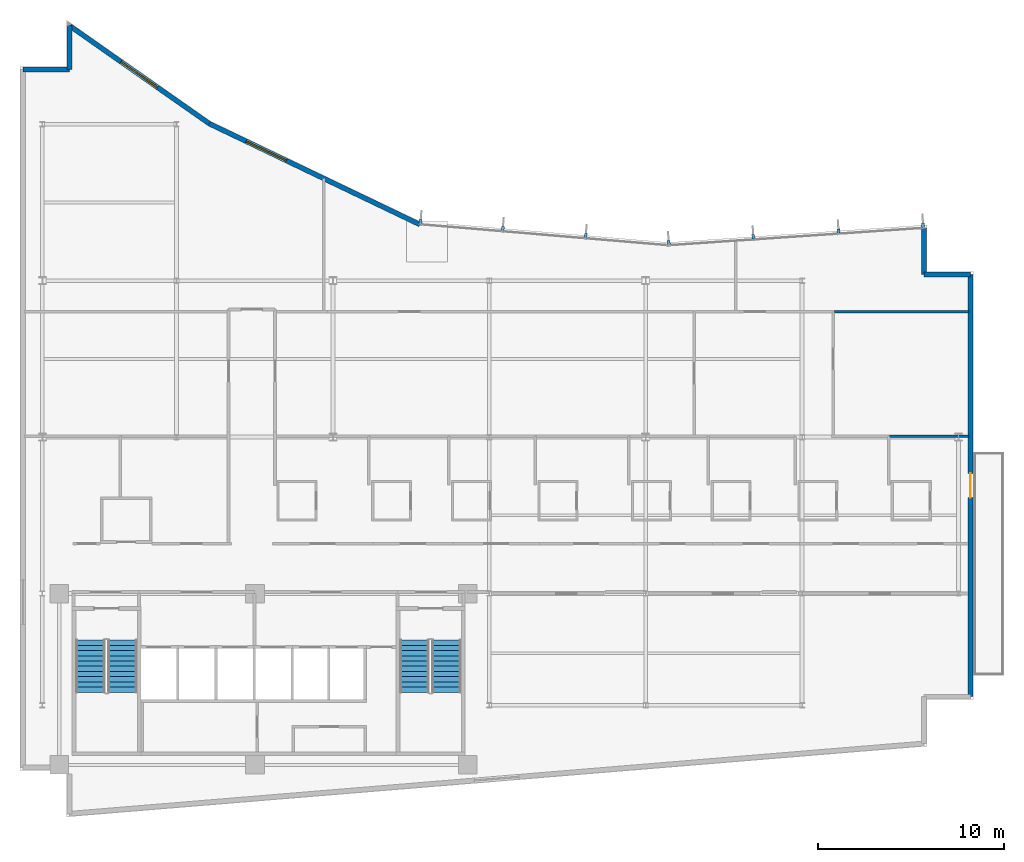
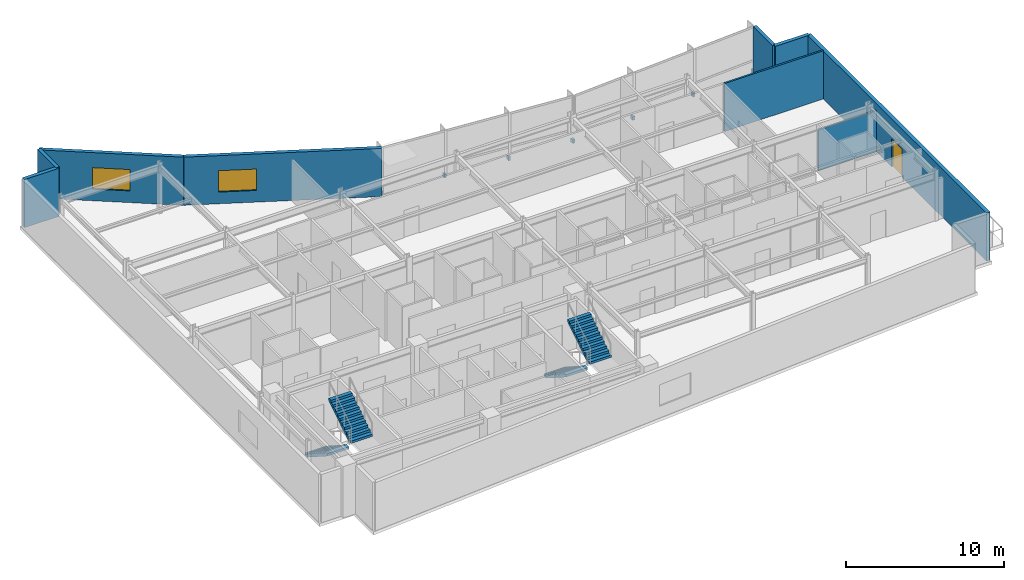
# One storey, part 12 of 15: 9 walls, 7 discrete accessories, 4 stair flights, 2 windows, 1 door, 3 openings, 2 elements without a shape of their own.
"""IFC4 building model written with IfcOpenShell, lengths in metres."""

from ifc_helpers import new_model, si_unit, direction, frame, frame_2d, origin, origin_2d, place, context, subcontext, project, spatial, polyline, rectangle, outline, extrude, material, layer, layer_set, type_object, element, fill, aggregate, save


model = new_model("IFC4")

# Units and contexts
model_context = context("Model", 3, precision=1e-05, world=origin(), true_north=direction((0.0, 1.0)))
body_context = subcontext(model_context, "Body", "Model", "MODEL_VIEW")
ifc_project = project(units=[si_unit("LENGTHUNIT", "METRE"), si_unit("AREAUNIT", "SQUARE_METRE"), si_unit("VOLUMEUNIT", "CUBIC_METRE"), si_unit("PLANEANGLEUNIT", "RADIAN"), si_unit("MASSUNIT", "GRAM", prefix="KILO")], contexts=[model_context])

# Site, building, storey
site_placement = place(None, origin())
site = spatial("IfcSite", under=ifc_project, at=site_placement, CompositionType="ELEMENT")
building_placement = place(site_placement, origin())
building = spatial("IfcBuilding", under=site, at=building_placement, Name="Varnakote Quay Hospital", CompositionType="ELEMENT")
storey_placement = place(building_placement, frame((0.0, 0.0, 200.0)))
storey = spatial("IfcBuildingStorey", under=building, at=storey_placement, Name="L49", CompositionType="ELEMENT", Elevation=200.0)

# Wall, opening, door
ifc_material_1 = material(Name="Precast concrete N50 (f'c 50 MPa)", Category="concrete")
ifc_layer_1 = layer(ifc_material_1, 0.260009765625)
ifc_layer_set_1 = layer_set([ifc_layer_1], Name="Precast concrete N50 (f'c 50 MPa)")
wall_type_1 = type_object("IfcWallType", Name="WL-EXT-BRICK-260", PredefinedType="STANDARD", material=ifc_layer_set_1)
wall_1_placement = place(storey_placement, frame((51.0400390625, 6.4599609375, 0.0), z_axis=(0.0, 0.0, 1.0), x_axis=(0.0, 1.0, 0.0)))
wall_1 = element("IfcWall", 1, at=wall_1_placement, inside=storey, type_object=wall_type_1, Name="L49 Healing Terrace Portal Brick Wall", PredefinedType="STANDARD", context=body_context, shape_type="SweptSolid", body=[
    extrude(rectangle(XDim=22.679931640625, YDim=0.260009765625, at=frame_2d((11.33984375, 0.0))), origin(), (0.0, 0.0, 1.0), 3.7099609375),
])
opening_1_placement = place(wall_1_placement, frame((10.68994140625, 0.0, 0.0)))
opening_1 = element("IfcOpeningElement", 2, at=opening_1_placement, cuts=wall_1, Name="Opening DT-L49", PredefinedType="OPENING", context=body_context, shape_type="SweptSolid", body=[
    extrude(rectangle(XDim=1.300048828125, YDim=2.14990234375, at=frame_2d((0.64990234375, 1.074951171875))), frame((0.0, 0.139892578125, 0.0), z_axis=(0.0, -1.0, 0.0), x_axis=(1.0, 0.0, 0.0)), (0.0, 0.0, 1.0), 0.280029296875),
])
ifc_material_2 = material(Name="Anodised aluminium glazed terrace door", Category="aluminium")
door_type = type_object("IfcDoorType", Name="DR-EXT-TERR-1300x2150", OperationType="NOTDEFINED", PredefinedType="DOOR", material=ifc_material_2)
door_placement = place(opening_1_placement, origin())
door = element("IfcDoor", 3, at=door_placement, inside=storey, type_object=door_type, Name="L49 Waterfront Healing Terrace Door", OperationType="SINGLE_SWING_RIGHT", OverallHeight=2.14990234375, OverallWidth=1.300048828125, PredefinedType="DOOR", context=body_context, shape_type="SweptSolid", body=[
    extrude(rectangle(XDim=1.300048828125, YDim=2.14990234375, at=frame_2d((0.64990234375, 1.074951171875))), frame((0.0, 0.02490234375, 0.0), z_axis=(0.0, -1.0, 0.0), x_axis=(1.0, 0.0, 0.0)), (0.0, 0.0, 1.0), 0.050048828125),
])
fill(opening_1, door)

# Walls
wall_2_placement = place(storey_placement, frame((51.0400390625, 29.139892578125, 0.0), z_axis=(0.0, 0.0, 1.0), x_axis=(-1.0, 0.0, 0.0)))
element("IfcWall", 4, at=wall_2_placement, inside=storey, type_object=wall_type_1, Name="L49 Brick-Faced Precast Exterior Wall", PredefinedType="STANDARD", context=body_context, shape_type="SweptSolid", body=[
    extrude(rectangle(XDim=2.5, YDim=0.260009765625, at=frame_2d((1.25, 0.0))), origin(), (0.0, 0.0, 1.0), 3.7099609375),
])
wall_3_placement = place(storey_placement, frame((48.5400390625, 29.139892578125, 0.0), z_axis=(0.0, 0.0, 1.0), x_axis=(0.0, 1.0, 0.0)))
element("IfcWall", 5, at=wall_3_placement, inside=storey, type_object=wall_type_1, Name="L49 Brick-Faced Precast Exterior Wall", PredefinedType="STANDARD", context=body_context, shape_type="SweptSolid", body=[
    extrude(rectangle(XDim=2.489013671875, YDim=0.260009765625, at=frame_2d((1.24462890625, 0.0))), origin(), (0.0, 0.0, 1.0), 3.7099609375),
])

# Wall, opening, window
wall_4_placement = place(storey_placement, frame((21.461181640625, 31.822998046875, 0.0), z_axis=(0.0, 0.0, 1.0), x_axis=(-0.901858094827, 0.432032379336, 0.0)))
wall_4 = element("IfcWall", 6, at=wall_4_placement, inside=storey, type_object=wall_type_1, Name="L49 Brick-Faced Precast Exterior Wall", PredefinedType="STANDARD", context=body_context, shape_type="SweptSolid", body=[
    extrude(rectangle(XDim=12.5322265625, YDim=0.260009765625, at=frame_2d((6.26611328125, 0.0))), origin(), (0.0, 0.0, 1.0), 3.7099609375),
])
opening_2_placement = place(wall_4_placement, frame((7.93212890625, 0.0, 0.89990234375)))
opening_2 = element("IfcOpeningElement", 7, at=opening_2_placement, cuts=wall_4, Name="Opening WN-0203", PredefinedType="OPENING", context=body_context, shape_type="SweptSolid", body=[
    extrude(rectangle(XDim=2.39990234375, YDim=1.64990234375, at=frame_2d((1.199951171875, 0.824951171875))), frame((0.0, 0.139892578125, 0.0), z_axis=(0.0, -1.0, 0.0), x_axis=(1.0, 0.0, 0.0)), (0.0, 0.0, 1.0), 0.280029296875),
])
ifc_material_3 = material(Name="Double-glazed low-E solar glass", Category="glass")
window_type = type_object("IfcWindowType", Name="WIN-CLIN-2400x1650", PartitioningType="SINGLE_PANEL", PredefinedType="WINDOW", material=ifc_material_3)
window_1_placement = place(opening_2_placement, origin())
window_1 = element("IfcWindow", 8, at=window_1_placement, inside=storey, type_object=window_type, Name="L49 Solar-Control Clinical Window", OverallHeight=1.64990234375, OverallWidth=2.39990234375, PartitioningType="SINGLE_PANEL", PredefinedType="WINDOW", context=body_context, shape_type="SweptSolid", body=[
    extrude(rectangle(XDim=2.39990234375, YDim=1.64990234375, at=frame_2d((1.199951171875, 0.824951171875))), frame((0.0, 0.030029296875, 0.0), z_axis=(0.0, -1.0, 0.0), x_axis=(1.0, 0.0, 0.0)), (0.0, 0.0, 1.0), 0.06005859375),
])
fill(opening_2, window_1)

wall_5_placement = place(storey_placement, frame((10.158935546875, 37.2373046875, 0.0), z_axis=(0.0, 0.0, 1.0), x_axis=(-0.818933702389, 0.57388813465, 0.0)))
wall_5 = element("IfcWall", 9, at=wall_5_placement, inside=storey, type_object=wall_type_1, Name="L49 Brick-Faced Precast Exterior Wall", PredefinedType="STANDARD", context=body_context, shape_type="SweptSolid", body=[
    extrude(rectangle(XDim=9.156982421875, YDim=0.260009765625, at=frame_2d((4.57861328125, 0.0))), origin(), (0.0, 0.0, 1.0), 3.7099609375),
])
opening_3_placement = place(wall_5_placement, frame((3.37841796875, 0.0, 0.89990234375)))
opening_3 = element("IfcOpeningElement", 10, at=opening_3_placement, cuts=wall_5, Name="Opening WN-0204", PredefinedType="OPENING", context=body_context, shape_type="SweptSolid", body=[
    extrude(rectangle(XDim=2.39990234375, YDim=1.64990234375, at=frame_2d((1.199951171875, 0.824951171875))), frame((0.0, 0.139892578125, 0.0), z_axis=(0.0, -1.0, 0.0), x_axis=(1.0, 0.0, 0.0)), (0.0, 0.0, 1.0), 0.280029296875),
])
window_2_placement = place(opening_3_placement, origin())
window_2 = element("IfcWindow", 11, at=window_2_placement, inside=storey, type_object=window_type, Name="L49 Solar-Control Clinical Window", OverallHeight=1.64990234375, OverallWidth=2.39990234375, PartitioningType="SINGLE_PANEL", PredefinedType="WINDOW", context=body_context, shape_type="SweptSolid", body=[
    extrude(rectangle(XDim=2.39990234375, YDim=1.64990234375, at=frame_2d((1.199951171875, 0.824951171875))), frame((0.0, 0.030029296875, 0.0), z_axis=(0.0, -1.0, 0.0), x_axis=(1.0, 0.0, 0.0)), (0.0, 0.0, 1.0), 0.06005859375),
])
fill(opening_3, window_2)

# Walls
wall_6_placement = place(storey_placement, frame((2.659912109375, 42.492431640625, 0.0), z_axis=(0.0, 0.0, 1.0), x_axis=(0.0, -1.0, 0.0)))
element("IfcWall", 12, at=wall_6_placement, inside=storey, type_object=wall_type_1, Name="L49 Brick-Faced Precast Exterior Wall", PredefinedType="STANDARD", context=body_context, shape_type="SweptSolid", body=[
    extrude(rectangle(XDim=2.3525390625, YDim=0.260009765625, at=frame_2d((1.17626953125, 0.0))), origin(), (0.0, 0.0, 1.0), 3.7099609375),
])
wall_7_placement = place(storey_placement, frame((2.659912109375, 40.139892578125, 0.0), z_axis=(0.0, 0.0, 1.0), x_axis=(-1.0, 0.0, 0.0)))
element("IfcWall", 13, at=wall_7_placement, inside=storey, type_object=wall_type_1, Name="L49 Brick-Faced Precast Exterior Wall", PredefinedType="STANDARD", context=body_context, shape_type="SweptSolid", body=[
    extrude(rectangle(XDim=2.5, YDim=0.260009765625, at=frame_2d((1.25, 0.0))), origin(), (0.0, 0.0, 1.0), 3.7099609375),
])
ifc_material_4 = material(Name="Smoke-proof clinical partition", Category="gypsum")
ifc_layer_2 = layer(ifc_material_4, 0.135009765625)
ifc_layer_set_2 = layer_set([ifc_layer_2], Name="Smoke-proof clinical partition")
wall_type_2 = type_object("IfcWallType", Name="WL-SMOKE-135", PredefinedType="PARTITIONING", material=ifc_layer_set_2)
wall_8_placement = place(storey_placement, frame((50.9599609375, 20.43994140625, 0.0), z_axis=(0.0, 0.0, 1.0), x_axis=(-1.0, 0.0, 0.0)))
element("IfcWall", 14, at=wall_8_placement, inside=storey, type_object=wall_type_2, Name="L49 Clinical Interior Partition", PredefinedType="PARTITIONING", context=body_context, shape_type="SweptSolid", body=[
    extrude(rectangle(XDim=4.262451171875, YDim=0.135009765625, at=frame_2d((2.13134765625, 0.0))), origin(), (0.0, 0.0, 1.0), 3.152099609375),
])
wall_9_placement = place(storey_placement, frame((50.9599609375, 27.139892578125, 0.0), z_axis=(0.0, 0.0, 1.0), x_axis=(-1.0, 0.0, 0.0)))
element("IfcWall", 15, at=wall_9_placement, inside=storey, type_object=wall_type_2, Name="L49 Clinical Interior Partition", PredefinedType="PARTITIONING", context=body_context, shape_type="SweptSolid", body=[
    extrude(rectangle(XDim=7.242431640625, YDim=0.135009765625, at=frame_2d((3.62109375, 0.0))), origin(), (0.0, 0.0, 1.0), 3.7099609375),
])

# Stair, stair flights
ifc_material_5 = material(Name="Concrete N40 (f'c 40 MPa)", Category="concrete")
stair_type = type_object("IfcStairType", Name="STR-CORE-1580", PredefinedType="HALF_TURN_STAIR", material=ifc_material_5)
stair_1_placement = place(storey_placement, origin())
stair_1 = element("IfcStair", 16, at=stair_1_placement, inside=storey, type_object=stair_type, Name="L49 Fire-Isolated Exit Stair ST-01", PredefinedType="HALF_TURN_STAIR")
ifc_material_6 = material(Name="Concrete N40 (f'c 40 MPa)", Category="concrete")
ifc_layer_3 = layer(ifc_material_6, 0.159912109375)
ifc_layer_set_3 = layer_set([ifc_layer_3], Name="Concrete N40 (f'c 40 MPa)")
stair_flight_type = type_object("IfcStairFlightType", Name="FLT-CORE-1580", PredefinedType="STRAIGHT", material=ifc_layer_set_3)
stair_flight_1_placement = place(storey_placement, frame((3.7900390625, 9.5, 0.0), z_axis=(0.0, 0.0, 1.0), x_axis=(0.0, -1.0, 0.0)))
stair_flight_1 = element("IfcStairFlight", 17, at=stair_flight_1_placement, type_object=stair_flight_type, Name="ST-01 flight 1", NumberOfRisers=11, NumberOfTreads=10, PredefinedType="STRAIGHT", RiserHeight=0.179545455, TreadLength=0.28, context=body_context, shape_type="SweptSolid", body=[
    extrude(outline(polyline([(0.0, 0.0), (0.0, 0.179443359375), (0.280029296875, 0.179443359375), (0.280029296875, 0.359130859375), (0.56005859375, 0.359130859375), (0.56005859375, 0.53857421875), (0.840087890625, 0.53857421875), (0.840087890625, 0.71826171875), (1.1201171875, 0.71826171875), (1.1201171875, 0.897705078125), (1.39990234375, 0.897705078125), (1.39990234375, 1.077392578125), (1.679931640625, 1.077392578125), (1.679931640625, 1.2568359375), (1.9599609375, 1.2568359375), (1.9599609375, 1.436279296875), (2.239990234375, 1.436279296875), (2.239990234375, 1.615966796875), (2.52001953125, 1.615966796875), (2.52001953125, 1.79541015625), (2.800048828125, 1.79541015625), (2.800048828125, 1.97509765625), (2.800048828125, 1.60546875), (0.296142578125, 0.0), (0.0, 0.0)])), frame((0.0, 0.7900390625, 0.0), z_axis=(0.0, -1.0, 0.0), x_axis=(1.0, 0.0, 0.0)), (0.0, 0.0, 1.0), 1.580078125),
])
stair_flight_2_placement = place(storey_placement, frame((5.510009765625, 6.699951171875, 1.97509765625), z_axis=(0.0, 0.0, 1.0), x_axis=(0.0, 1.0, 0.0)))
stair_flight_2 = element("IfcStairFlight", 18, at=stair_flight_2_placement, type_object=stair_flight_type, Name="ST-01 flight 2", NumberOfRisers=11, NumberOfTreads=10, PredefinedType="STRAIGHT", RiserHeight=0.179545455, TreadLength=0.28, context=body_context, shape_type="SweptSolid", body=[
    extrude(outline(polyline([(0.0, 0.0), (0.0, 0.179443359375), (0.280029296875, 0.179443359375), (0.280029296875, 0.359130859375), (0.56005859375, 0.359130859375), (0.56005859375, 0.53857421875), (0.840087890625, 0.53857421875), (0.840087890625, 0.71826171875), (1.1201171875, 0.71826171875), (1.1201171875, 0.897705078125), (1.39990234375, 0.897705078125), (1.39990234375, 1.077392578125), (1.679931640625, 1.077392578125), (1.679931640625, 1.2568359375), (1.9599609375, 1.2568359375), (1.9599609375, 1.436279296875), (2.239990234375, 1.436279296875), (2.239990234375, 1.615966796875), (2.52001953125, 1.615966796875), (2.52001953125, 1.79541015625), (2.800048828125, 1.79541015625), (2.800048828125, 1.97509765625), (2.800048828125, 1.60546875), (0.296142578125, 0.0), (0.0, 0.0)])), frame((0.0, 0.7900390625, 0.0), z_axis=(0.0, -1.0, 0.0), x_axis=(1.0, 0.0, 0.0)), (0.0, 0.0, 1.0), 1.580078125),
])
aggregate(stair_1, [stair_flight_1, stair_flight_2])

stair_2_placement = place(storey_placement, origin())
stair_2 = element("IfcStair", 19, at=stair_2_placement, inside=storey, type_object=stair_type, Name="L49 Fire-Isolated Exit Stair ST-02", PredefinedType="HALF_TURN_STAIR")
stair_flight_3_placement = place(storey_placement, frame((21.18994140625, 9.5, 0.0), z_axis=(0.0, 0.0, 1.0), x_axis=(0.0, -1.0, 0.0)))
stair_flight_3 = element("IfcStairFlight", 20, at=stair_flight_3_placement, type_object=stair_flight_type, Name="ST-02 flight 1", NumberOfRisers=11, NumberOfTreads=10, PredefinedType="STRAIGHT", RiserHeight=0.179545455, TreadLength=0.28, context=body_context, shape_type="SweptSolid", body=[
    extrude(outline(polyline([(0.0, 0.0), (0.0, 0.179443359375), (0.280029296875, 0.179443359375), (0.280029296875, 0.359130859375), (0.56005859375, 0.359130859375), (0.56005859375, 0.53857421875), (0.840087890625, 0.53857421875), (0.840087890625, 0.71826171875), (1.1201171875, 0.71826171875), (1.1201171875, 0.897705078125), (1.39990234375, 0.897705078125), (1.39990234375, 1.077392578125), (1.679931640625, 1.077392578125), (1.679931640625, 1.2568359375), (1.9599609375, 1.2568359375), (1.9599609375, 1.436279296875), (2.239990234375, 1.436279296875), (2.239990234375, 1.615966796875), (2.52001953125, 1.615966796875), (2.52001953125, 1.79541015625), (2.800048828125, 1.79541015625), (2.800048828125, 1.97509765625), (2.800048828125, 1.60546875), (0.296142578125, 0.0), (0.0, 0.0)])), frame((0.0, 0.7900390625, 0.0), z_axis=(0.0, -1.0, 0.0), x_axis=(1.0, 0.0, 0.0)), (0.0, 0.0, 1.0), 1.580078125),
])
stair_flight_4_placement = place(storey_placement, frame((22.909912109375, 6.699951171875, 1.97509765625), z_axis=(0.0, 0.0, 1.0), x_axis=(0.0, 1.0, 0.0)))
stair_flight_4 = element("IfcStairFlight", 21, at=stair_flight_4_placement, type_object=stair_flight_type, Name="ST-02 flight 2", NumberOfRisers=11, NumberOfTreads=10, PredefinedType="STRAIGHT", RiserHeight=0.179545455, TreadLength=0.28, context=body_context, shape_type="SweptSolid", body=[
    extrude(outline(polyline([(0.0, 0.0), (0.0, 0.179443359375), (0.280029296875, 0.179443359375), (0.280029296875, 0.359130859375), (0.56005859375, 0.359130859375), (0.56005859375, 0.53857421875), (0.840087890625, 0.53857421875), (0.840087890625, 0.71826171875), (1.1201171875, 0.71826171875), (1.1201171875, 0.897705078125), (1.39990234375, 0.897705078125), (1.39990234375, 1.077392578125), (1.679931640625, 1.077392578125), (1.679931640625, 1.2568359375), (1.9599609375, 1.2568359375), (1.9599609375, 1.436279296875), (2.239990234375, 1.436279296875), (2.239990234375, 1.615966796875), (2.52001953125, 1.615966796875), (2.52001953125, 1.79541015625), (2.800048828125, 1.79541015625), (2.800048828125, 1.97509765625), (2.800048828125, 1.60546875), (0.296142578125, 0.0), (0.0, 0.0)])), frame((0.0, 0.7900390625, 0.0), z_axis=(0.0, -1.0, 0.0), x_axis=(1.0, 0.0, 0.0)), (0.0, 0.0, 1.0), 1.580078125),
])
aggregate(stair_2, [stair_flight_3, stair_flight_4])

# Discrete accessories
ifc_material_7 = material(Name="Anodised aluminium 6063-T6 Bronze", Category="aluminium")
discrete_accessory_type = type_object("IfcDiscreteAccessoryType", Name="ACC-FIN-BRACKET-180", PredefinedType="BRACKET", material=ifc_material_7)
for number, where, z_axis, x_axis, name in (
    (22, (48.497314453125, 31.776123046875, 0.0), (0.0, 0.0, 1.0), (-0.997696134548, -0.067841160875, 0.0), "L49 Curtain Wall Fin Fixing Bracket"),
    (23, (43.95458984375, 31.46728515625, 0.0), (0.0, 0.0, 1.0), (-0.997696134548, -0.067841160875, 0.0), "L49 Curtain Wall Fin Fixing Bracket"),
    (24, (39.379638671875, 31.15625, 0.0), (0.0, 0.0, 1.0), (-0.997696134548, -0.067841160875, 0.0), "L49 Curtain Wall Fin Fixing Bracket"),
    (25, (34.8369140625, 30.847412109375, 0.0), (0.0, 0.0, 1.0), (-0.997696134548, -0.067841160875, 0.0), "L49 Curtain Wall Fin Fixing Bracket"),
    (26, (30.376220703125, 31.220703125, 0.0), (0.0, 0.0, 1.0), (-0.996448909038, 0.084199594279, 0.0), "L49 Curtain Wall Fin Fixing Bracket"),
    (27, (25.925048828125, 31.5966796875, 0.0), (0.0, 0.0, 1.0), (-0.996448909038, 0.084199594279, 0.0), "L49 Curtain Wall Fin Fixing Bracket"),
    (28, (21.50634765625, 31.9697265625, 0.0), (0.0, 0.0, 1.0), (-0.996448909038, 0.084199594279, 0.0), "L49 Curtain Wall Fin Fixing Bracket"),
):
    element("IfcDiscreteAccessory", number, at=place(storey_placement, frame(where, z_axis=z_axis, x_axis=x_axis)), inside=storey, type_object=discrete_accessory_type, Name=name, PredefinedType="BRACKET", context=body_context, shape_type="SweptSolid", body=[
        extrude(rectangle(XDim=0.159912109375, YDim=0.239990234375, at=origin_2d()), origin(), (0.0, 0.0, 1.0), 0.280029296875),
    ])

save(model, "model.ifc")
